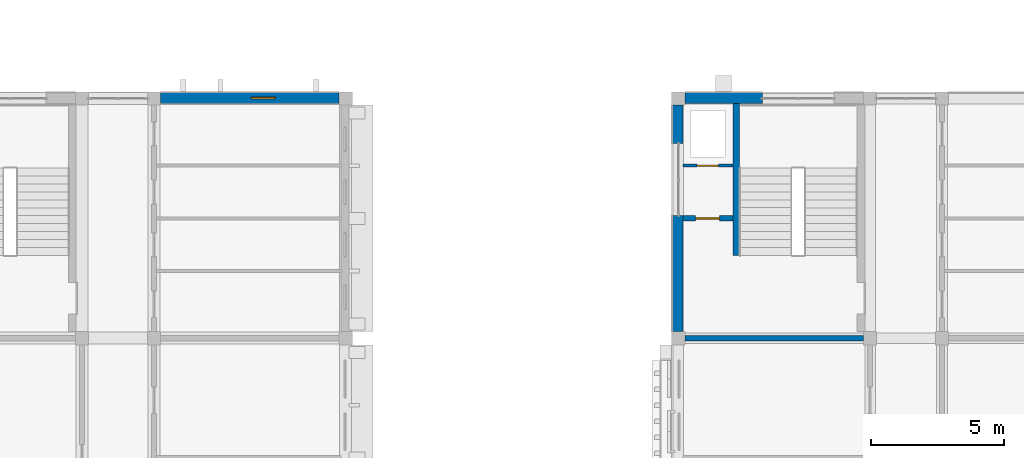
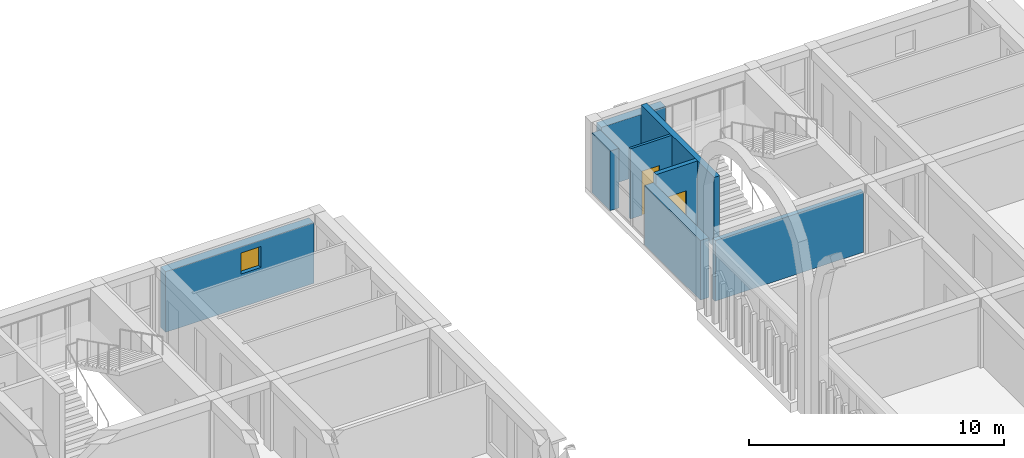
# One storey, part 52 of 82: 8 walls, 2 doors, 1 window, 3 openings.
"""IFC4 building model written with IfcOpenShell, lengths in metres."""

from ifc_helpers import new_model, si_unit, direction, frame, frame_2d, origin, place, context, subcontext, project, spatial, rectangle, extrude, material, layer, layer_set, type_object, element, fill, save


model = new_model("IFC4")

# Units and contexts
model_context = context("Model", 3, precision=1e-05, world=origin(), true_north=direction((0.0, 1.0)))
body_context = subcontext(model_context, "Body", "Model", "MODEL_VIEW")
ifc_project = project(units=[si_unit("LENGTHUNIT", "METRE"), si_unit("AREAUNIT", "SQUARE_METRE"), si_unit("VOLUMEUNIT", "CUBIC_METRE"), si_unit("PLANEANGLEUNIT", "RADIAN"), si_unit("MASSUNIT", "GRAM", prefix="KILO")], contexts=[model_context])

# Site, building, storey
site_placement = place(None, origin())
site = spatial("IfcSite", under=ifc_project, at=site_placement, CompositionType="ELEMENT")
building_placement = place(site_placement, origin())
building = spatial("IfcBuilding", under=site, at=building_placement, Name="Elbe Cascade School", CompositionType="ELEMENT")
storey_placement = place(building_placement, frame((0.0, 0.0, 4.5)))
storey = spatial("IfcBuildingStorey", under=building, at=storey_placement, Name="L01", CompositionType="ELEMENT", Elevation=4.5)

# Wall, opening, door
ifc_material_1 = material(Name="Masonry - lime-sand block, plastered", Category="masonry")
ifc_layer_1 = layer(ifc_material_1, 0.114990234375)
ifc_layer_set_1 = layer_set([ifc_layer_1], Name="Masonry - lime-sand block, plastered")
wall_type_1 = type_object("IfcWallType", Name="Bar light partition wall lime-sand block 115", PredefinedType="PARTITIONING", material=ifc_layer_set_1)
wall_1_placement = place(storey_placement, frame((128.3798828125, 57.47998046875, 0.0), z_axis=(0.0, 0.0, 1.0), x_axis=(1.0, 0.0, 0.0)))
wall_1 = element("IfcWall", 1, at=wall_1_placement, inside=storey, type_object=wall_type_1, Name="Bar light partition wall lime-sand block 115", PredefinedType="PARTITIONING", context=body_context, shape_type="SweptSolid", body=[
    extrude(rectangle(XDim=1.8701171875, YDim=0.114990234375, at=frame_2d((0.93505859375, 0.0))), origin(), (0.0, 0.0, 1.0), 3.35009765625),
])
opening_1_placement = place(wall_1_placement, frame((0.52001953125, 0.0, 0.0)))
opening_1 = element("IfcOpeningElement", 2, at=opening_1_placement, cuts=wall_1, Name="Opening D1.081", PredefinedType="OPENING", context=body_context, shape_type="SweptSolid", body=[
    extrude(rectangle(XDim=0.800048828125, YDim=2.10009765625, at=frame_2d((0.39990234375, 1.050048828125))), frame((0.0, 0.0673828125, 0.0), z_axis=(0.0, -1.0, 0.0), x_axis=(1.0, 0.0, 0.0)), (0.0, 0.0, 1.0), 0.135009765625),
])
ifc_material_2 = material(Name="Timber door leaf, steel frame", Category="steel")
door_type_1 = type_object("IfcDoorType", Name="Bar door 800x2100", OperationType="NOTDEFINED", PredefinedType="DOOR", material=ifc_material_2)
door_1_placement = place(opening_1_placement, origin())
door_1 = element("IfcDoor", 3, at=door_1_placement, inside=storey, type_object=door_type_1, Name="Door C1.14", OperationType="SINGLE_SWING_LEFT", OverallHeight=2.10009765625, OverallWidth=0.800048828125, PredefinedType="DOOR", context=body_context, shape_type="SweptSolid", body=[
    extrude(rectangle(XDim=0.800048828125, YDim=2.10009765625, at=frame_2d((0.39990234375, 1.050048828125))), frame((0.0, 0.02490234375, 0.0), z_axis=(0.0, -1.0, 0.0), x_axis=(1.0, 0.0, 0.0)), (0.0, 0.0, 1.0), 0.050048828125),
])
fill(opening_1, door_1)

# Wall
ifc_material_3 = material(Name="Concrete C30/37", Category="concrete")
ifc_layer_2 = layer(ifc_material_3, 0.25)
ifc_layer_set_2 = layer_set([ifc_layer_2], Name="Concrete C30/37")
wall_type_2 = type_object("IfcWallType", Name="Bar stair core wall RC 250", PredefinedType="SOLIDWALL", material=ifc_layer_set_2)
wall_2_placement = place(storey_placement, frame((130.375, 54.10009765625, 0.0), z_axis=(0.0, 0.0, 1.0), x_axis=(0.0, 1.0, 0.0)))
element("IfcWall", 4, at=wall_2_placement, inside=storey, type_object=wall_type_2, Name="Bar stair core wall RC 250", PredefinedType="SOLIDWALL", context=body_context, shape_type="SweptSolid", body=[
    extrude(rectangle(XDim=5.719970703125, YDim=0.25, at=frame_2d((2.85986328125, 0.0))), origin(), (0.0, 0.0, 1.0), 3.35009765625),
])

# Wall, opening, door
ifc_material_4 = material(Name="Concrete C30/37", Category="concrete")
ifc_layer_3 = layer(ifc_material_4, 0.199951171875)
ifc_layer_set_3 = layer_set([ifc_layer_3], Name="Concrete C30/37")
wall_type_3 = type_object("IfcWallType", Name="Bar stair lobby wall RC 200", PredefinedType="SOLIDWALL", material=ifc_layer_set_3)
wall_3_placement = place(storey_placement, frame((128.3798828125, 55.5, 0.0), z_axis=(0.0, 0.0, 1.0), x_axis=(1.0, 0.0, 0.0)))
wall_3 = element("IfcWall", 5, at=wall_3_placement, inside=storey, type_object=wall_type_3, Name="Bar stair lobby wall RC 200", PredefinedType="SOLIDWALL", context=body_context, shape_type="SweptSolid", body=[
    extrude(rectangle(XDim=1.8701171875, YDim=0.199951171875, at=frame_2d((0.93505859375, 0.0))), origin(), (0.0, 0.0, 1.0), 3.35009765625),
])
opening_2_placement = place(wall_3_placement, frame((0.469970703125, 0.0, 0.0)))
opening_2 = element("IfcOpeningElement", 6, at=opening_2_placement, cuts=wall_3, Name="Opening D1.079", PredefinedType="OPENING", context=body_context, shape_type="SweptSolid", body=[
    extrude(rectangle(XDim=0.89990234375, YDim=2.10009765625, at=frame_2d((0.449951171875, 1.050048828125))), frame((0.0, 0.10986328125, 0.0), z_axis=(0.0, -1.0, 0.0), x_axis=(1.0, 0.0, 0.0)), (0.0, 0.0, 1.0), 0.219970703125),
])
ifc_material_5 = material(Name="Timber door leaf, fire-resisting and smoke-tight, steel frame", Category="steel")
door_type_2 = type_object("IfcDoorType", Name="Bar door FD30S 900x2100", OperationType="NOTDEFINED", PredefinedType="DOOR", material=ifc_material_5)
door_2_placement = place(opening_2_placement, origin())
door_2 = element("IfcDoor", 7, at=door_2_placement, inside=storey, type_object=door_type_2, Name="Door C1.13", OperationType="SINGLE_SWING_RIGHT", OverallHeight=2.10009765625, OverallWidth=0.89990234375, PredefinedType="DOOR", context=body_context, shape_type="SweptSolid", body=[
    extrude(rectangle(XDim=0.89990234375, YDim=2.10009765625, at=frame_2d((0.449951171875, 1.050048828125))), frame((0.0, 0.02490234375, 0.0), z_axis=(0.0, -1.0, 0.0), x_axis=(1.0, 0.0, 0.0)), (0.0, 0.0, 1.0), 0.050048828125),
])
fill(opening_2, door_2)

# Wall
wall_4_placement = place(storey_placement, frame((128.449951171875, 51.0, 0.0), z_axis=(0.0, 0.0, 1.0), x_axis=(1.0, 0.0, 0.0)))
element("IfcWall", 8, at=wall_4_placement, inside=storey, type_object=wall_type_3, Name="Bar stair lobby wall RC 200", PredefinedType="SOLIDWALL", context=body_context, shape_type="SweptSolid", body=[
    extrude(rectangle(XDim=6.699951171875, YDim=0.199951171875, at=frame_2d((3.35009765625, 0.0))), origin(), (0.0, 0.0, 1.0), 2.89990234375),
])

# Wall, opening, window
ifc_material_6 = material(Name="Brick masonry - red clinker, solid, sandstone-faced", Category="masonry")
ifc_layer_4 = layer(ifc_material_6, 0.39990234375)
ifc_layer_set_4 = layer_set([ifc_layer_4], Name="Brick masonry - red clinker, solid, sandstone-faced")
wall_type_4 = type_object("IfcWallType", Name="Bars envelope External wall - solid masonry core strip, sandstone faced, 400", PredefinedType="STANDARD", material=ifc_layer_set_4)
wall_5_placement = place(storey_placement, frame((108.75, 60.02001953125, 0.0), z_axis=(0.0, 0.0, 1.0), x_axis=(1.0, 0.0, 0.0)))
wall_5 = element("IfcWall", 9, at=wall_5_placement, inside=storey, type_object=wall_type_4, Name="External wall W31 B.L01.n3", PredefinedType="STANDARD", context=body_context, shape_type="SweptSolid", body=[
    extrude(rectangle(XDim=6.699951171875, YDim=0.39990234375, at=frame_2d((3.35009765625, 0.0))), origin(), (0.0, 0.0, 1.0), 2.89990234375),
])
opening_3_placement = place(wall_5_placement, frame((3.39990234375, 0.0, 1.60009765625)))
opening_3 = element("IfcOpeningElement", 10, at=opening_3_placement, cuts=wall_5, Name="Opening W1.062", PredefinedType="OPENING", context=body_context, shape_type="SweptSolid", body=[
    extrude(rectangle(XDim=0.89990234375, YDim=1.0, at=frame_2d((0.449951171875, 0.5))), frame((0.0, 0.2099609375, 0.0), z_axis=(0.0, -1.0, 0.0), x_axis=(1.0, 0.0, 0.0)), (0.0, 0.0, 1.0), 0.419921875),
])
ifc_material_7 = material(Name="Aluminium frame with double glazing, bronze anodised", Category="aluminium")
window_type = type_object("IfcWindowType", Name="Bars envelope Window 900 x 1000, WC and service room, high level, aluminium double glazed", PartitioningType="SINGLE_PANEL", PredefinedType="WINDOW", material=ifc_material_7)
window_placement = place(opening_3_placement, origin())
window = element("IfcWindow", 11, at=window_placement, inside=storey, type_object=window_type, Name="Window WN4 B.L01.n3.1", OverallHeight=1.0, OverallWidth=0.89990234375, PartitioningType="SINGLE_PANEL", PredefinedType="WINDOW", context=body_context, shape_type="SweptSolid", body=[
    extrude(rectangle(XDim=0.89990234375, YDim=1.0, at=frame_2d((0.449951171875, 0.5))), frame((0.0, 0.030029296875, 0.0), z_axis=(0.0, -1.0, 0.0), x_axis=(1.0, 0.0, 0.0)), (0.0, 0.0, 1.0), 0.06005859375),
])
fill(opening_3, window)

# Walls
wall_6_placement = place(storey_placement, frame((128.179931640625, 51.25, 0.0), z_axis=(0.0, 0.0, 1.0), x_axis=(0.0, 1.0, 0.0)))
element("IfcWall", 12, at=wall_6_placement, inside=storey, type_object=wall_type_4, Name="External wall W31 C.L01.w6a", PredefinedType="STANDARD", context=body_context, shape_type="SweptSolid", body=[
    extrude(rectangle(XDim=4.360107421875, YDim=0.39990234375, at=frame_2d((2.18017578125, 0.0))), origin(), (0.0, 0.0, 1.0), 2.85009765625),
])
wall_7_placement = place(storey_placement, frame((128.179931640625, 58.31005859375, 0.0), z_axis=(0.0, 0.0, 1.0), x_axis=(0.0, 1.0, 0.0)))
element("IfcWall", 13, at=wall_7_placement, inside=storey, type_object=wall_type_4, Name="External wall W31 C.L01.w6b", PredefinedType="STANDARD", context=body_context, shape_type="SweptSolid", body=[
    extrude(rectangle(XDim=1.43994140625, YDim=0.39990234375, at=frame_2d((0.719970703125, 0.0))), origin(), (0.0, 0.0, 1.0), 2.85009765625),
])
wall_8_placement = place(storey_placement, frame((128.449951171875, 60.02001953125, 0.0), z_axis=(0.0, 0.0, 1.0), x_axis=(1.0, 0.0, 0.0)))
element("IfcWall", 14, at=wall_8_placement, inside=storey, type_object=wall_type_4, Name="External wall W31 C.L01.n1a", PredefinedType="STANDARD", context=body_context, shape_type="SweptSolid", body=[
    extrude(rectangle(XDim=2.900146484375, YDim=0.39990234375, at=frame_2d((1.4501953125, 0.0))), origin(), (0.0, 0.0, 1.0), 2.89990234375),
])

save(model, "model.ifc")
